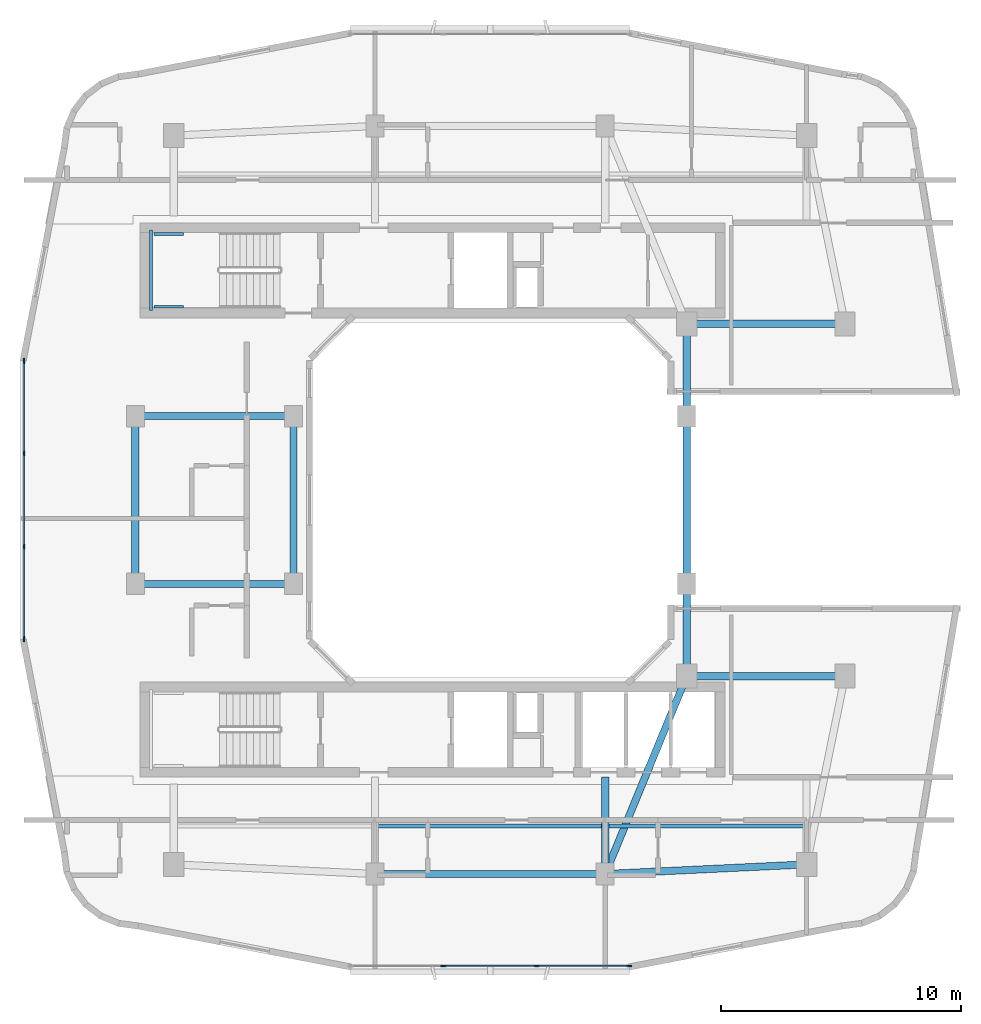
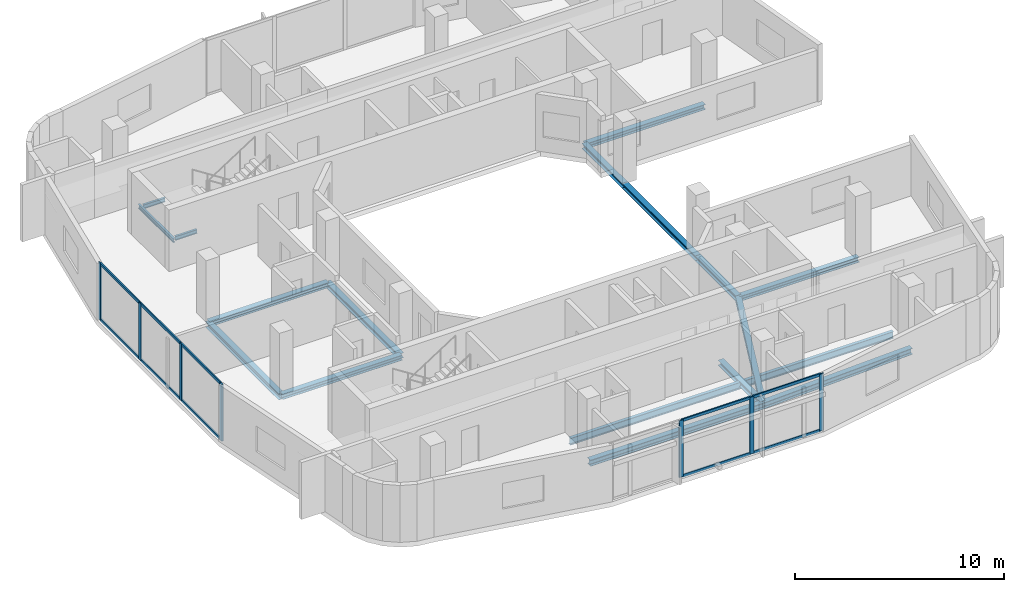
# One storey, part 2 of 12: 18 beams, 17 members, 2 elements without a shape of their own.
"""IFC4 building model written with IfcOpenShell, lengths in metres."""

from ifc_helpers import new_model, si_unit, derived_unit, direction, frame, origin, origin_2d, place, context, subcontext, project, spatial, rectangle, i_section, extrude, material, layer, layer_set, material_profile, profile_set, type_object, element, aggregate, save


model = new_model("IFC4")

# Units and contexts
model_context = context("Model", 3, precision=1e-05, world=origin(), true_north=direction((0.0, 1.0)))
body_context = subcontext(model_context, "Body", "Model", "MODEL_VIEW")
ifc_project = project(units=[si_unit("LENGTHUNIT", "METRE"), si_unit("AREAUNIT", "SQUARE_METRE"), si_unit("VOLUMEUNIT", "CUBIC_METRE"), si_unit("PLANEANGLEUNIT", "RADIAN"), si_unit("MASSUNIT", "GRAM", prefix="KILO"), derived_unit("THERMALTRANSMITTANCEUNIT", [(si_unit("POWERUNIT", "WATT"), 1), (si_unit("LENGTHUNIT", "METRE"), -2), (si_unit("THERMODYNAMICTEMPERATUREUNIT", "KELVIN"), -1)])], contexts=[model_context])

# Site, building, storey
site_placement = place(None, origin())
site = spatial("IfcSite", under=ifc_project, at=site_placement, CompositionType="ELEMENT")
building_placement = place(site_placement, origin())
building = spatial("IfcBuilding", under=site, at=building_placement, Name="Kivonza Crest Hotel", CompositionType="ELEMENT")
storey_placement = place(building_placement, frame((0.0, 0.0, 184.699951171875)))
storey = spatial("IfcBuildingStorey", under=building, at=storey_placement, Name="L50", CompositionType="ELEMENT", Elevation=184.699951171875)

# Beams
ifc_material_1 = material(Name="Steel S355", Category="steel")
ifc_material_profile_1 = material_profile(ifc_material_1, i_section(OverallWidth=0.300048828125, OverallDepth=0.300048828125, WebThickness=0.010986328125, FlangeThickness=0.01904296875, FilletRadius=0.027099609375, at=origin_2d()), Name="HEB 300")
ifc_profile_set_1 = profile_set([ifc_material_profile_1], Name="Steel S355")
beam_type_1 = type_object("IfcBeamType", Name="BM-HEB300", PredefinedType="BEAM", material=ifc_profile_set_1)
for number, where, z_axis, x_axis, name in (
    (1, (6.199951171875, 21.5, -0.429931640625), (1.0, 0.0, 0.0), (0.0, 1.0, 0.0), "Tower T1 L50 primary girder W1-WL1"),
    (2, (6.199951171875, 28.5, -0.429931640625), (1.0, 0.0, 0.0), (0.0, 1.0, 0.0), "Tower T1 L50 primary girder W2-WL2"),
):
    element("IfcBeam", number, at=place(storey_placement, frame(where, z_axis=z_axis, x_axis=x_axis)), inside=storey, type_object=beam_type_1, Name=name, PredefinedType="BEAM", context=body_context, shape_type="SweptSolid", body=[
        extrude(i_section(OverallWidth=0.300048828125, OverallDepth=0.300048828125, WebThickness=0.010986328125, FlangeThickness=0.01904296875, FilletRadius=0.027099609375, at=origin_2d()), origin(), (0.0, 0.0, 1.0), 6.60009765625),
    ])
beam_1_placement = place(storey_placement, frame((12.800048828125, 21.5, -0.429931640625), z_axis=(0.0, 1.0, 0.0), x_axis=(-1.0, 0.0, 0.0)))
element("IfcBeam", 3, at=beam_1_placement, inside=storey, type_object=beam_type_1, Name="Tower T1 L50 primary girder WL1-WL2", PredefinedType="BEAM", context=body_context, shape_type="SweptSolid", body=[
    extrude(i_section(OverallWidth=0.300048828125, OverallDepth=0.300048828125, WebThickness=0.010986328125, FlangeThickness=0.01904296875, FilletRadius=0.027099609375, at=origin_2d()), origin(), (0.0, 0.0, 1.0), 7.0),
])
beam_2_placement = place(storey_placement, frame((25.800048828125, 9.39990234375, -0.429931640625), z_axis=(0.381022260404, 0.924565864109, 0.0), x_axis=(-0.924565864109, 0.381022260404, 0.0)))
element("IfcBeam", 4, at=beam_2_placement, inside=storey, type_object=beam_type_1, Name="Tower T1 L50 primary girder S1-TSE", PredefinedType="BEAM", context=body_context, shape_type="SweptSolid", body=[
    extrude(i_section(OverallWidth=0.300048828125, OverallDepth=0.300048828125, WebThickness=0.010986328125, FlangeThickness=0.01904296875, FilletRadius=0.027099609375, at=origin_2d()), origin(), (0.0, 0.0, 1.0), 8.923095703125),
])
for number, where, z_axis, x_axis, name in (
    (5, (29.199951171875, 17.64990234375, -0.429931640625), (1.0, 0.0, 0.0), (0.0, 1.0, 0.0), "Tower T1 L50 primary girder TSE-PSE"),
    (6, (29.199951171875, 32.35009765625, -0.429931640625), (1.0, 0.0, 0.0), (0.0, 1.0, 0.0), "Tower T1 L50 primary girder TNE-PNE"),
):
    element("IfcBeam", number, at=place(storey_placement, frame(where, z_axis=z_axis, x_axis=x_axis)), inside=storey, type_object=beam_type_1, Name=name, PredefinedType="BEAM", context=body_context, shape_type="SweptSolid", body=[
        extrude(i_section(OverallWidth=0.300048828125, OverallDepth=0.300048828125, WebThickness=0.010986328125, FlangeThickness=0.01904296875, FilletRadius=0.027099609375, at=origin_2d()), origin(), (0.0, 0.0, 1.0), 6.60009765625),
    ])
beam_3_placement = place(storey_placement, frame((29.199951171875, 21.5, -0.429931640625), z_axis=(0.0, 1.0, 0.0), x_axis=(-1.0, 0.0, 0.0)))
element("IfcBeam", 7, at=beam_3_placement, inside=storey, type_object=beam_type_1, Name="Tower T1 L50 primary girder WR1-WR2", PredefinedType="BEAM", context=body_context, shape_type="SweptSolid", body=[
    extrude(i_section(OverallWidth=0.300048828125, OverallDepth=0.300048828125, WebThickness=0.010986328125, FlangeThickness=0.01904296875, FilletRadius=0.027099609375, at=origin_2d()), origin(), (0.0, 0.0, 1.0), 7.0),
])
for number, where, z_axis, x_axis, name in (
    (8, (29.199951171875, 17.64990234375, -0.429931640625), (0.0, 1.0, 0.0), (-1.0, 0.0, 0.0), "Tower T1 L50 primary girder TSE-WR1"),
    (9, (29.199951171875, 28.5, -0.429931640625), (0.0, 1.0, 0.0), (-1.0, 0.0, 0.0), "Tower T1 L50 primary girder WR2-TNE"),
):
    element("IfcBeam", number, at=place(storey_placement, frame(where, z_axis=z_axis, x_axis=x_axis)), inside=storey, type_object=beam_type_1, Name=name, PredefinedType="BEAM", context=body_context, shape_type="SweptSolid", body=[
        extrude(i_section(OverallWidth=0.300048828125, OverallDepth=0.300048828125, WebThickness=0.010986328125, FlangeThickness=0.01904296875, FilletRadius=0.027099609375, at=origin_2d()), origin(), (0.0, 0.0, 1.0), 3.85009765625),
    ])
beam_4_placement = place(storey_placement, frame((25.800048828125, 9.39990234375, -0.429931640625), z_axis=(0.0, 1.0, 0.0), x_axis=(-1.0, 0.0, 0.0)))
element("IfcBeam", 10, at=beam_4_placement, inside=storey, type_object=beam_type_1, Name="Tower T1 L50 radial core girder RS2", PredefinedType="BEAM", context=body_context, shape_type="SweptSolid", body=[
    extrude(i_section(OverallWidth=0.300048828125, OverallDepth=0.300048828125, WebThickness=0.010986328125, FlangeThickness=0.01904296875, FilletRadius=0.027099609375, at=origin_2d()), origin(), (0.0, 0.0, 1.0), 4.050048828125),
])
ifc_material_profile_2 = material_profile(ifc_material_1, i_section(OverallWidth=0.300048828125, OverallDepth=0.360107421875, WebThickness=0.012451171875, FlangeThickness=0.0224609375, FilletRadius=0.027099609375, at=origin_2d()), Name="HEB 360")
ifc_profile_set_2 = profile_set([ifc_material_profile_2], Name="Steel S355")
beam_type_2 = type_object("IfcBeamType", Name="BM-HEB360", PredefinedType="SPANDREL", material=ifc_profile_set_2)
beam_5_placement = place(storey_placement, frame((16.199951171875, 9.39990234375, -0.4599609375), z_axis=(1.0, 0.0, 0.0), x_axis=(0.0, 1.0, 0.0)))
element("IfcBeam", 11, at=beam_5_placement, inside=storey, type_object=beam_type_2, Name="Tower T1 L50 perimeter spandrel S1-S2", PredefinedType="SPANDREL", context=body_context, shape_type="SweptSolid", body=[
    extrude(i_section(OverallWidth=0.300048828125, OverallDepth=0.360107421875, WebThickness=0.012451171875, FlangeThickness=0.0224609375, FilletRadius=0.027099609375, at=origin_2d()), origin(), (0.0, 0.0, 1.0), 9.60009765625),
])
beam_6_placement = place(storey_placement, frame((25.800048828125, 9.39990234375, -0.4599609375), z_axis=(0.998867283688, 0.047583080799, 0.0), x_axis=(-0.047583080799, 0.998867283688, 0.0)))
element("IfcBeam", 12, at=beam_6_placement, inside=storey, type_object=beam_type_2, Name="Tower T1 L50 perimeter spandrel S2-SE", PredefinedType="SPANDREL", context=body_context, shape_type="SweptSolid", body=[
    extrude(i_section(OverallWidth=0.300048828125, OverallDepth=0.360107421875, WebThickness=0.012451171875, FlangeThickness=0.0224609375, FilletRadius=0.027099609375, at=origin_2d()), origin(), (0.0, 0.0, 1.0), 8.409423828125),
])
beam_7_placement = place(storey_placement, frame((6.199951171875, 28.5, -0.4599609375), z_axis=(0.0, -1.0, 0.0), x_axis=(1.0, 0.0, 0.0)))
element("IfcBeam", 13, at=beam_7_placement, inside=storey, type_object=beam_type_2, Name="Tower T1 L50 perimeter spandrel W2-W1", PredefinedType="SPANDREL", context=body_context, shape_type="SweptSolid", body=[
    extrude(i_section(OverallWidth=0.300048828125, OverallDepth=0.360107421875, WebThickness=0.012451171875, FlangeThickness=0.0224609375, FilletRadius=0.027099609375, at=origin_2d()), origin(), (0.0, 0.0, 1.0), 7.0),
])
ifc_material_profile_3 = material_profile(ifc_material_1, i_section(OverallWidth=0.179931640625, OverallDepth=0.39990234375, WebThickness=0.008544921875, FlangeThickness=0.013427734375, FilletRadius=0.02099609375, at=origin_2d()), Name="IPE 400")
ifc_profile_set_3 = profile_set([ifc_material_profile_3], Name="Steel S355")
beam_type_3 = type_object("IfcBeamType", Name="BM-IPE400", PredefinedType="JOIST", material=ifc_profile_set_3)
beam_8_placement = place(storey_placement, frame((16.280029296875, 11.39990234375, -0.47998046875), z_axis=(1.0, 0.0, 0.0), x_axis=(0.0, 1.0, 0.0)))
element("IfcBeam", 14, at=beam_8_placement, inside=storey, type_object=beam_type_3, Name="Tower T1 L50 South-Mid floor joist", PredefinedType="JOIST", context=body_context, shape_type="SweptSolid", body=[
    extrude(i_section(OverallWidth=0.179931640625, OverallDepth=0.39990234375, WebThickness=0.008544921875, FlangeThickness=0.013427734375, FilletRadius=0.02099609375, at=origin_2d()), origin(), (0.0, 0.0, 1.0), 9.43994140625),
])
beam_9_placement = place(storey_placement, frame((25.8798828125, 11.39990234375, -0.47998046875), z_axis=(1.0, 0.0, 0.0), x_axis=(0.0, 1.0, 0.0)))
element("IfcBeam", 15, at=beam_9_placement, inside=storey, type_object=beam_type_3, Name="Tower T1 L50 South-East floor joist", PredefinedType="JOIST", context=body_context, shape_type="SweptSolid", body=[
    extrude(i_section(OverallWidth=0.179931640625, OverallDepth=0.39990234375, WebThickness=0.008544921875, FlangeThickness=0.013427734375, FilletRadius=0.02099609375, at=origin_2d()), origin(), (0.0, 0.0, 1.0), 8.240234375),
])
ifc_material_profile_4 = material_profile(ifc_material_1, i_section(OverallWidth=0.1201171875, OverallDepth=0.239990234375, WebThickness=0.006103515625, FlangeThickness=0.009765625, FilletRadius=0.014892578125, at=origin_2d()), Name="IPE 240")
ifc_profile_set_4 = profile_set([ifc_material_profile_4], Name="Steel S355")
beam_type_4 = type_object("IfcBeamType", Name="BM-LLDG-240", PredefinedType="BEAM", material=ifc_profile_set_4)
beam_10_placement = place(storey_placement, frame((6.860107421875, 32.89990234375, 1.47998046875), z_axis=(0.0, 1.0, 0.0), x_axis=(-1.0, 0.0, 0.0)))
element("IfcBeam", 16, at=beam_10_placement, inside=storey, type_object=beam_type_4, Name="Stair ST-T1-N L50 West landing corbel", PredefinedType="BEAM", context=body_context, shape_type="SweptSolid", body=[
    extrude(i_section(OverallWidth=0.1201171875, OverallDepth=0.239990234375, WebThickness=0.006103515625, FlangeThickness=0.009765625, FilletRadius=0.014892578125, at=origin_2d()), origin(), (0.0, 0.0, 1.0), 3.360107421875),
])
for number, where, z_axis, x_axis, name in (
    (17, (6.989990234375, 33.06005859375, 1.47998046875), (1.0, 0.0, 0.0), (0.0, 1.0, 0.0), "Stair ST-T1-N L50 South landing corbel"),
    (18, (6.989990234375, 36.10009765625, 1.47998046875), (1.0, 0.0, 0.0), (0.0, 1.0, 0.0), "Stair ST-T1-N L50 North landing corbel"),
):
    element("IfcBeam", number, at=place(storey_placement, frame(where, z_axis=z_axis, x_axis=x_axis)), inside=storey, type_object=beam_type_4, Name=name, PredefinedType="BEAM", context=body_context, shape_type="SweptSolid", body=[
        extrude(i_section(OverallWidth=0.1201171875, OverallDepth=0.239990234375, WebThickness=0.006103515625, FlangeThickness=0.009765625, FilletRadius=0.014892578125, at=origin_2d()), origin(), (0.0, 0.0, 1.0), 1.2099609375),
    ])

# Curtain wall, members
ifc_material_2 = material(Name="Anodised bronze aluminium and low-E double glazing", Category="aluminium")
ifc_layer = layer(ifc_material_2, 0.179931640625)
ifc_layer_set = layer_set([ifc_layer], Name="Anodised bronze aluminium and low-E double glazing")
curtain_wall_type = type_object("IfcCurtainWallType", Name="CW-SYS-3", PredefinedType="NOTDEFINED", material=ifc_layer_set)
curtain_wall_1_placement = place(storey_placement, origin())
curtain_wall_1 = element("IfcCurtainWall", 19, at=curtain_wall_1_placement, inside=storey, type_object=curtain_wall_type, Name="L50 unitised curtain wall CW-T1-L50-08", PredefinedType="NOTDEFINED")
ifc_material_3 = material(Name="Anodised bronze aluminium", Category="aluminium")
ifc_material_profile_5 = material_profile(ifc_material_3, rectangle(XDim=0.074951171875, YDim=0.219970703125, at=origin_2d()), Name="CW-M 75x220")
ifc_profile_set_5 = profile_set([ifc_material_profile_5], Name="Anodised bronze aluminium")
member_type_1 = type_object("IfcMemberType", Name="CW-MUL-75x220", PredefinedType="MULLION", material=ifc_profile_set_5)
member_1_placement = place(storey_placement, frame((19.05322265625, 5.56005859375, 0.0), z_axis=(0.0, 0.0, 1.0), x_axis=(0.0, 1.0, 0.0)))
member_1 = element("IfcMember", 20, at=member_1_placement, type_object=member_type_1, Name="CW-3 mullion 2", PredefinedType="MULLION", context=body_context, shape_type="SweptSolid", body=[
    extrude(rectangle(XDim=0.074951171875, YDim=0.219970703125, at=origin_2d()), origin(), (0.0, 0.0, 1.0), 3.320068359375),
])
member_2_placement = place(storey_placement, frame((22.94677734375, 5.56005859375, 0.0), z_axis=(0.0, 0.0, 1.0), x_axis=(0.0, 1.0, 0.0)))
member_2 = element("IfcMember", 21, at=member_2_placement, type_object=member_type_1, Name="CW-3 mullion 3", PredefinedType="MULLION", context=body_context, shape_type="SweptSolid", body=[
    extrude(rectangle(XDim=0.074951171875, YDim=0.219970703125, at=origin_2d()), origin(), (0.0, 0.0, 1.0), 3.320068359375),
])
member_3_placement = place(storey_placement, frame((26.802490234375, 5.56005859375, 0.0), z_axis=(0.0, 0.0, 1.0), x_axis=(0.0, 1.0, 0.0)))
member_3 = element("IfcMember", 22, at=member_3_placement, type_object=member_type_1, Name="CW-3 mullion 4", PredefinedType="MULLION", context=body_context, shape_type="SweptSolid", body=[
    extrude(rectangle(XDim=0.074951171875, YDim=0.219970703125, at=origin_2d()), origin(), (0.0, 0.0, 1.0), 3.320068359375),
])

curtain_wall_2_placement = place(storey_placement, origin())
curtain_wall_2 = element("IfcCurtainWall", 23, at=curtain_wall_2_placement, inside=storey, type_object=curtain_wall_type, Name="L50 unitised curtain wall CW-T1-L50-45", PredefinedType="NOTDEFINED")
member_4_placement = place(storey_placement, frame((1.56005859375, 30.802490234375, 0.0), z_axis=(0.0, 0.0, 1.0), x_axis=(1.0, 0.0, 0.0)))
member_4 = element("IfcMember", 24, at=member_4_placement, type_object=member_type_1, Name="CW-3 mullion 1", PredefinedType="MULLION", context=body_context, shape_type="SweptSolid", body=[
    extrude(rectangle(XDim=0.074951171875, YDim=0.219970703125, at=origin_2d()), origin(), (0.0, 0.0, 1.0), 3.320068359375),
])
member_5_placement = place(storey_placement, frame((1.56005859375, 26.94677734375, 0.0), z_axis=(0.0, 0.0, 1.0), x_axis=(1.0, 0.0, 0.0)))
member_5 = element("IfcMember", 25, at=member_5_placement, type_object=member_type_1, Name="CW-3 mullion 2", PredefinedType="MULLION", context=body_context, shape_type="SweptSolid", body=[
    extrude(rectangle(XDim=0.074951171875, YDim=0.219970703125, at=origin_2d()), origin(), (0.0, 0.0, 1.0), 3.320068359375),
])
member_6_placement = place(storey_placement, frame((1.56005859375, 23.05322265625, 0.0), z_axis=(0.0, 0.0, 1.0), x_axis=(1.0, 0.0, 0.0)))
member_6 = element("IfcMember", 26, at=member_6_placement, type_object=member_type_1, Name="CW-3 mullion 3", PredefinedType="MULLION", context=body_context, shape_type="SweptSolid", body=[
    extrude(rectangle(XDim=0.074951171875, YDim=0.219970703125, at=origin_2d()), origin(), (0.0, 0.0, 1.0), 3.320068359375),
])
member_7_placement = place(storey_placement, frame((1.56005859375, 19.197509765625, 0.0), z_axis=(0.0, 0.0, 1.0), x_axis=(1.0, 0.0, 0.0)))
member_7 = element("IfcMember", 27, at=member_7_placement, type_object=member_type_1, Name="CW-3 mullion 4", PredefinedType="MULLION", context=body_context, shape_type="SweptSolid", body=[
    extrude(rectangle(XDim=0.074951171875, YDim=0.219970703125, at=origin_2d()), origin(), (0.0, 0.0, 1.0), 3.320068359375),
])

# Member
ifc_material_profile_6 = material_profile(ifc_material_3, rectangle(XDim=0.074951171875, YDim=0.159912109375, at=origin_2d()), Name="CW-T 75x160")
ifc_profile_set_6 = profile_set([ifc_material_profile_6], Name="Anodised bronze aluminium")
member_type_2 = type_object("IfcMemberType", Name="CW-TRN-75x160", PredefinedType="USERDEFINED", material=ifc_profile_set_6)
member_8_placement = place(storey_placement, frame((19.0908203125, 5.56005859375, 0.03759765625), z_axis=(1.0, 0.0, 0.0), x_axis=(0.0, 1.0, 0.0)))
member_8 = element("IfcMember", 28, at=member_8_placement, type_object=member_type_2, Name="CW-3 transom 2.1", ObjectType="TRANSOM", PredefinedType="USERDEFINED", context=body_context, shape_type="SweptSolid", body=[
    extrude(rectangle(XDim=0.074951171875, YDim=0.159912109375, at=origin_2d()), origin(), (0.0, 0.0, 1.0), 3.818359375),
])

member_9_placement = place(storey_placement, frame((19.0908203125, 5.56005859375, 3.282470703125), z_axis=(1.0, 0.0, 0.0), x_axis=(0.0, 1.0, 0.0)))
member_9 = element("IfcMember", 29, at=member_9_placement, type_object=member_type_2, Name="CW-3 transom 2.2", ObjectType="TRANSOM", PredefinedType="USERDEFINED", context=body_context, shape_type="SweptSolid", body=[
    extrude(rectangle(XDim=0.074951171875, YDim=0.159912109375, at=origin_2d()), origin(), (0.0, 0.0, 1.0), 3.818359375),
])

member_10_placement = place(storey_placement, frame((22.984130859375, 5.56005859375, 0.03759765625), z_axis=(1.0, 0.0, 0.0), x_axis=(0.0, 1.0, 0.0)))
member_10 = element("IfcMember", 30, at=member_10_placement, type_object=member_type_2, Name="CW-3 transom 3.1", ObjectType="TRANSOM", PredefinedType="USERDEFINED", context=body_context, shape_type="SweptSolid", body=[
    extrude(rectangle(XDim=0.074951171875, YDim=0.159912109375, at=origin_2d()), origin(), (0.0, 0.0, 1.0), 3.78076171875),
])

member_11_placement = place(storey_placement, frame((22.984130859375, 5.56005859375, 3.282470703125), z_axis=(1.0, 0.0, 0.0), x_axis=(0.0, 1.0, 0.0)))
member_11 = element("IfcMember", 31, at=member_11_placement, type_object=member_type_2, Name="CW-3 transom 3.2", ObjectType="TRANSOM", PredefinedType="USERDEFINED", context=body_context, shape_type="SweptSolid", body=[
    extrude(rectangle(XDim=0.074951171875, YDim=0.159912109375, at=origin_2d()), origin(), (0.0, 0.0, 1.0), 3.78076171875),
])

aggregate(curtain_wall_1, [member_1, member_2, member_3, member_8, member_9, member_10, member_11])

member_12_placement = place(storey_placement, frame((1.56005859375, 30.764892578125, 0.03759765625), z_axis=(0.0, -1.0, 0.0), x_axis=(1.0, 0.0, 0.0)))
member_12 = element("IfcMember", 32, at=member_12_placement, type_object=member_type_2, Name="CW-3 transom 1.1", ObjectType="TRANSOM", PredefinedType="USERDEFINED", context=body_context, shape_type="SweptSolid", body=[
    extrude(rectangle(XDim=0.074951171875, YDim=0.159912109375, at=origin_2d()), origin(), (0.0, 0.0, 1.0), 3.78076171875),
])

member_13_placement = place(storey_placement, frame((1.56005859375, 30.764892578125, 3.282470703125), z_axis=(0.0, -1.0, 0.0), x_axis=(1.0, 0.0, 0.0)))
member_13 = element("IfcMember", 33, at=member_13_placement, type_object=member_type_2, Name="CW-3 transom 1.2", ObjectType="TRANSOM", PredefinedType="USERDEFINED", context=body_context, shape_type="SweptSolid", body=[
    extrude(rectangle(XDim=0.074951171875, YDim=0.159912109375, at=origin_2d()), origin(), (0.0, 0.0, 1.0), 3.78076171875),
])

member_14_placement = place(storey_placement, frame((1.56005859375, 26.9091796875, 0.03759765625), z_axis=(0.0, -1.0, 0.0), x_axis=(1.0, 0.0, 0.0)))
member_14 = element("IfcMember", 34, at=member_14_placement, type_object=member_type_2, Name="CW-3 transom 2.1", ObjectType="TRANSOM", PredefinedType="USERDEFINED", context=body_context, shape_type="SweptSolid", body=[
    extrude(rectangle(XDim=0.074951171875, YDim=0.159912109375, at=origin_2d()), origin(), (0.0, 0.0, 1.0), 3.818359375),
])

member_15_placement = place(storey_placement, frame((1.56005859375, 26.9091796875, 3.282470703125), z_axis=(0.0, -1.0, 0.0), x_axis=(1.0, 0.0, 0.0)))
member_15 = element("IfcMember", 35, at=member_15_placement, type_object=member_type_2, Name="CW-3 transom 2.2", ObjectType="TRANSOM", PredefinedType="USERDEFINED", context=body_context, shape_type="SweptSolid", body=[
    extrude(rectangle(XDim=0.074951171875, YDim=0.159912109375, at=origin_2d()), origin(), (0.0, 0.0, 1.0), 3.818359375),
])

member_16_placement = place(storey_placement, frame((1.56005859375, 23.015869140625, 0.03759765625), z_axis=(0.0, -1.0, 0.0), x_axis=(1.0, 0.0, 0.0)))
member_16 = element("IfcMember", 36, at=member_16_placement, type_object=member_type_2, Name="CW-3 transom 3.1", ObjectType="TRANSOM", PredefinedType="USERDEFINED", context=body_context, shape_type="SweptSolid", body=[
    extrude(rectangle(XDim=0.074951171875, YDim=0.159912109375, at=origin_2d()), origin(), (0.0, 0.0, 1.0), 3.78076171875),
])

member_17_placement = place(storey_placement, frame((1.56005859375, 23.015869140625, 3.282470703125), z_axis=(0.0, -1.0, 0.0), x_axis=(1.0, 0.0, 0.0)))
member_17 = element("IfcMember", 37, at=member_17_placement, type_object=member_type_2, Name="CW-3 transom 3.2", ObjectType="TRANSOM", PredefinedType="USERDEFINED", context=body_context, shape_type="SweptSolid", body=[
    extrude(rectangle(XDim=0.074951171875, YDim=0.159912109375, at=origin_2d()), origin(), (0.0, 0.0, 1.0), 3.78076171875),
])

aggregate(curtain_wall_2, [member_4, member_5, member_6, member_7, member_12, member_13, member_14, member_15, member_16, member_17])

save(model, "model.ifc")
